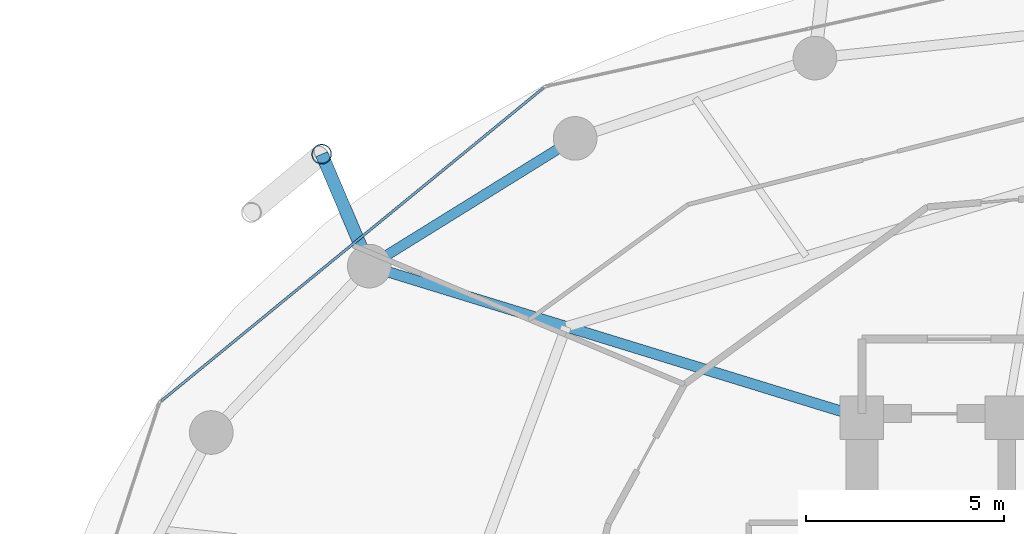
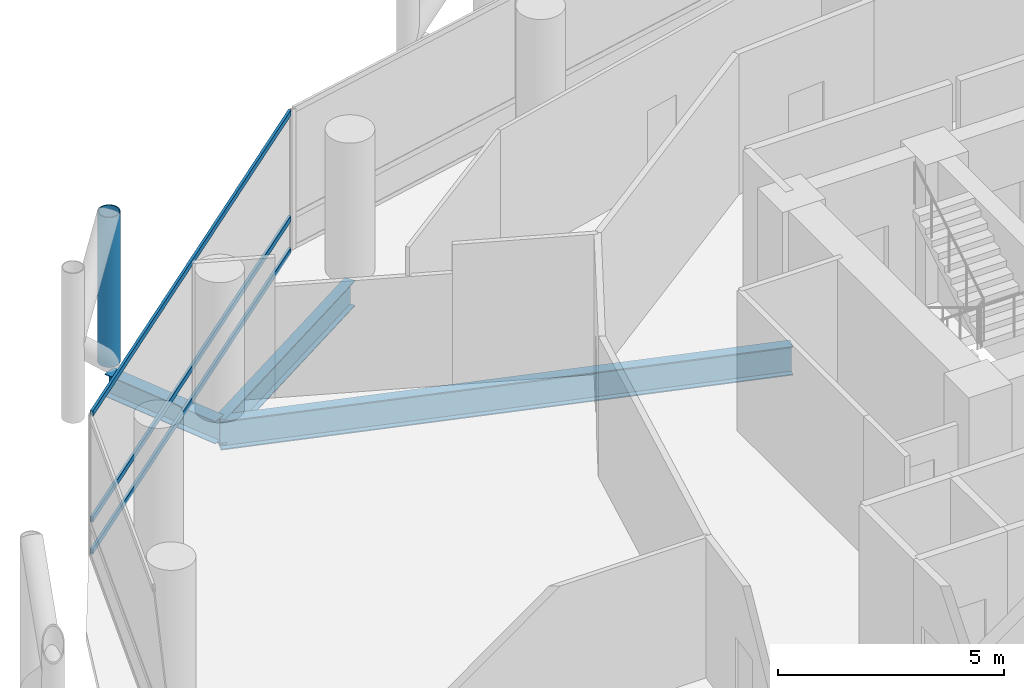
# One storey, part 14 of 25: 4 members, 3 beams, 1 element without a shape of its own.
"""IFC4 building model written with IfcOpenShell, lengths in metres."""

from ifc_helpers import new_model, si_unit, direction, frame, origin, origin_2d, place, context, subcontext, project, spatial, hollow_rectangle, hollow_circle, i_section, extrude, material, layer, layer_set, material_profile, profile_set, type_object, element, aggregate, save


model = new_model("IFC4")

# Units and contexts
model_context = context("Model", 3, precision=1e-05, world=origin(), true_north=direction((0.0, 1.0)))
body_context = subcontext(model_context, "Body", "Model", "MODEL_VIEW")
ifc_project = project(units=[si_unit("LENGTHUNIT", "METRE"), si_unit("AREAUNIT", "SQUARE_METRE"), si_unit("VOLUMEUNIT", "CUBIC_METRE"), si_unit("PLANEANGLEUNIT", "RADIAN"), si_unit("MASSUNIT", "GRAM", prefix="KILO")], contexts=[model_context])

# Site, building, storey
site_placement = place(None, origin())
site = spatial("IfcSite", under=ifc_project, at=site_placement, CompositionType="ELEMENT")
building_placement = place(site_placement, origin())
building = spatial("IfcBuilding", under=site, at=building_placement, Name="Nuhasar Tower", CompositionType="ELEMENT")
storey_placement = place(building_placement, frame((0.0, 0.0, 49.35009765625)))
storey = spatial("IfcBuildingStorey", under=building, at=storey_placement, Name="L11", CompositionType="ELEMENT", Elevation=49.35009765625)

# Beams
ifc_material_1 = material(Name="Steel S355", Category="steel")
ifc_material_profile_1 = material_profile(ifc_material_1, i_section(OverallWidth=0.26611328125, OverallDepth=0.779052734375, WebThickness=0.0166015625, FlangeThickness=0.030029296875, at=origin_2d()), Name="W30X148")
ifc_profile_set_1 = profile_set([ifc_material_profile_1], Name="Steel S355")
beam_type_1 = type_object("IfcBeamType", Name="BM-RAD-W30X148", PredefinedType="BEAM", material=ifc_profile_set_1)
beam_1_placement = place(storey_placement, frame((33.699951171875, 37.300048828125, -0.649169921875), z_axis=(-0.955789576103, 0.294051502653, 0.0), x_axis=(-0.294051502653, -0.955789576103, 0.0)))
element("IfcBeam", 1, at=beam_1_placement, inside=storey, type_object=beam_type_1, Name="L11 Radial Floor Girder 07", PredefinedType="BEAM", context=body_context, shape_type="SweptSolid", body=[
    extrude(i_section(OverallWidth=0.26611328125, OverallDepth=0.779052734375, WebThickness=0.0166015625, FlangeThickness=0.030029296875, at=origin_2d()), origin(), (0.0, 0.0, 1.0), 12.987060546875),
])
ifc_material_profile_2 = material_profile(ifc_material_1, i_section(OverallWidth=0.256103515625, OverallDepth=0.693115234375, WebThickness=0.014404296875, FlangeThickness=0.023681640625, at=origin_2d()), Name="W27X114")
ifc_profile_set_2 = profile_set([ifc_material_profile_2], Name="Steel S355")
beam_type_2 = type_object("IfcBeamType", Name="BM-RING-W27X114", PredefinedType="SPANDREL", material=ifc_profile_set_2)
beam_2_placement = place(storey_placement, frame((26.47509765625, 44.3369140625, -0.606201171875), z_axis=(-0.849795216549, -0.527112976439, 0.0), x_axis=(0.527112976439, -0.849795216549, 0.0)))
element("IfcBeam", 2, at=beam_2_placement, inside=storey, type_object=beam_type_2, Name="L11 Perimeter Ring Spandrel 09", PredefinedType="SPANDREL", context=body_context, shape_type="SweptSolid", body=[
    extrude(i_section(OverallWidth=0.256103515625, OverallDepth=0.693115234375, WebThickness=0.014404296875, FlangeThickness=0.023681640625, at=origin_2d()), origin(), (0.0, 0.0, 1.0), 6.10498046875),
])
ifc_material_profile_3 = material_profile(ifc_material_1, i_section(OverallWidth=0.323974609375, OverallDepth=0.611083984375, WebThickness=0.0126953125, FlangeThickness=0.01904296875, at=origin_2d()), Name="W24X104")
ifc_profile_set_3 = profile_set([ifc_material_profile_3], Name="Steel S355")
beam_type_3 = type_object("IfcBeamType", Name="BM-TIE-W24X104", PredefinedType="BEAM", material=ifc_profile_set_3)
beam_3_placement = place(storey_placement, frame((21.287109375, 41.118896484375, -0.565185546875), z_axis=(-0.391601084021, 0.920135093882, 0.0), x_axis=(-0.920135093882, -0.391601084021, 0.0)))
element("IfcBeam", 3, at=beam_3_placement, inside=storey, type_object=beam_type_3, Name="L11 Exoskeleton Node Tie Beam 05", PredefinedType="BEAM", context=body_context, shape_type="SweptSolid", body=[
    extrude(i_section(OverallWidth=0.323974609375, OverallDepth=0.611083984375, WebThickness=0.0126953125, FlangeThickness=0.01904296875, at=origin_2d()), origin(), (0.0, 0.0, 1.0), 3.06494140625),
])

# Curtain wall, members
ifc_material_2 = material(Name="Aluminium 6063-T6", Category="aluminium")
ifc_layer = layer(ifc_material_2, 0.199951171875)
ifc_layer_set = layer_set([ifc_layer], Name="Aluminium 6063-T6")
curtain_wall_type = type_object("IfcCurtainWallType", Name="CW-Z1-OFF", PredefinedType="NOTDEFINED", material=ifc_layer_set)
curtain_wall_placement = place(storey_placement, origin())
curtain_wall = element("IfcCurtainWall", 4, at=curtain_wall_placement, inside=storey, type_object=curtain_wall_type, Name="L11 Unitised Curtain Wall 05", PredefinedType="NOTDEFINED")
ifc_material_profile_4 = material_profile(ifc_material_2, hollow_rectangle(XDim=0.06494140625, YDim=0.14990234375, WallThickness=0.00439453125, at=origin_2d()), Name="CWT-2")
ifc_profile_set_4 = profile_set([ifc_material_profile_4], Name="Aluminium 6063-T6")
member_type_1 = type_object("IfcMemberType", Name="CW-TRN-S2", PredefinedType="USERDEFINED", material=ifc_profile_set_4)
member_1_placement = place(storey_placement, frame((25.669677734375, 45.603759765625, 0.032470703125), z_axis=(-0.773540851599, -0.633746440548, 0.0), x_axis=(0.633746440548, -0.773540851599, 0.0)))
member_1 = element("IfcMember", 5, at=member_1_placement, type_object=member_type_1, Name="CW-Z1 transom 1.1", ObjectType="TRANSOM", PredefinedType="USERDEFINED", context=body_context, shape_type="SweptSolid", body=[
    extrude(hollow_rectangle(XDim=0.06494140625, YDim=0.14990234375, WallThickness=0.00439453125, at=origin_2d()), origin(), (0.0, 0.0, 1.0), 12.43798828125),
])
member_2_placement = place(storey_placement, frame((25.669677734375, 45.603759765625, 0.89990234375), z_axis=(-0.773540851599, -0.633746440548, 0.0), x_axis=(0.633746440548, -0.773540851599, 0.0)))
member_2 = element("IfcMember", 6, at=member_2_placement, type_object=member_type_1, Name="CW-Z1 transom 1.2", ObjectType="TRANSOM", PredefinedType="USERDEFINED", context=body_context, shape_type="SweptSolid", body=[
    extrude(hollow_rectangle(XDim=0.06494140625, YDim=0.14990234375, WallThickness=0.00439453125, at=origin_2d()), origin(), (0.0, 0.0, 1.0), 12.43798828125),
])
member_3_placement = place(storey_placement, frame((25.669677734375, 45.603759765625, 3.75732421875), z_axis=(-0.773540851599, -0.633746440548, 0.0), x_axis=(0.633746440548, -0.773540851599, 0.0)))
member_3 = element("IfcMember", 7, at=member_3_placement, type_object=member_type_1, Name="CW-Z1 transom 1.3", ObjectType="TRANSOM", PredefinedType="USERDEFINED", context=body_context, shape_type="SweptSolid", body=[
    extrude(hollow_rectangle(XDim=0.06494140625, YDim=0.14990234375, WallThickness=0.00439453125, at=origin_2d()), origin(), (0.0, 0.0, 1.0), 12.43798828125),
])
aggregate(curtain_wall, [member_1, member_2, member_3])

# Member
ifc_material_3 = material(Name="Steel S460", Category="steel")
ifc_material_profile_5 = material_profile(ifc_material_3, hollow_circle(Radius=0.25390625, WallThickness=0.025390625, at=origin_2d()), Name="HSS508X25.4")
ifc_profile_set_5 = profile_set([ifc_material_profile_5], Name="Steel S460")
member_type_2 = type_object("IfcMemberType", Name="EXO-BRONZE-508", PredefinedType="BRACE", material=ifc_profile_set_5)
member_4_placement = place(storey_placement, frame((20.0869140625, 43.93896484375, 0.0), z_axis=(0.0, 0.0, 1.0), x_axis=(1.0, 0.0, 0.0)))
element("IfcMember", 8, at=member_4_placement, inside=storey, type_object=member_type_2, Name="L11 Exoskeleton Chord Column EC-05A", PredefinedType="BRACE", context=body_context, shape_type="SweptSolid", body=[
    extrude(hollow_circle(Radius=0.25390625, WallThickness=0.025390625, at=origin_2d()), origin(), (0.0, 0.0, 1.0), 4.0498046875),
])

save(model, "model.ifc")
